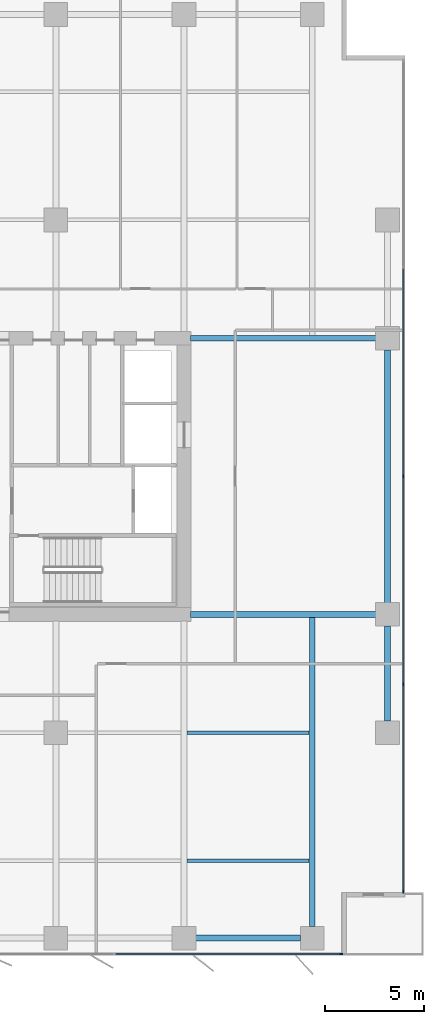
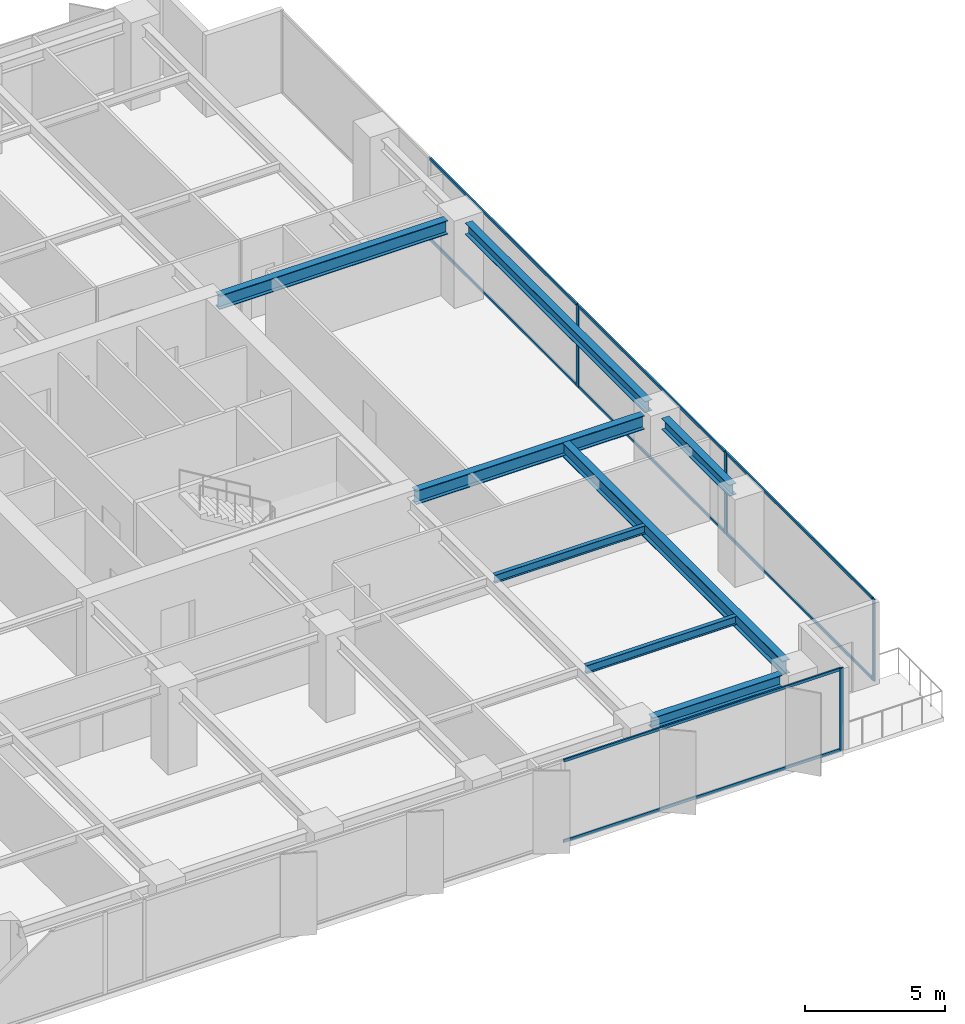
# One storey, part 10 of 20: 12 members, 8 beams, 2 elements without a shape of their own.
"""IFC4 building model written with IfcOpenShell, lengths in metres."""

import ifcopenshell
import ifcopenshell.guid

model = None  # the IFC model being written
_history = None  # IfcOwnerHistory: only IFC2X3 demands one
_inside = {}  # id of a spatial element -> (the spatial element, [elements in it])
_under = {}  # id of a project, library or spatial element -> (it, [spatial elements below it])
_declared = {}  # id of a project -> (the project, [libraries it declares])
_typed = {}  # id of a type object -> (the type object, [elements of that type])
_made_of = {}  # id of a material, layer set ... -> (it, [elements and type objects made of it])


def new_model(schema):
    """Start an empty IFC model of exactly this schema.

    Asked for "IFC4X3", IfcOpenShell would pick the latest addendum, in which some entities
    have other attributes; the version numbers below select the first issue.
    IFC2X3 requires an IfcOwnerHistory on every rooted entity: one is made here for all.
    """
    global model, _history
    if schema == "IFC4X3":
        model = ifcopenshell.file(schema_version=(4, 3, 0, 0))
    else:
        model = ifcopenshell.file(schema=schema)
    _inside.clear()
    _under.clear()
    _declared.clear()
    _typed.clear()
    _made_of.clear()
    _history = None
    if model.schema == "IFC2X3":
        org = make("IfcOrganization", Name="unknown")
        user = make(
            "IfcPersonAndOrganization",
            ThePerson=make("IfcPerson", FamilyName="unknown"),
            TheOrganization=org,
        )
        app = make(
            "IfcApplication",
            ApplicationDeveloper=org,
            Version="unknown",
            ApplicationFullName="unknown",
            ApplicationIdentifier="unknown",
        )
        _history = make(
            "IfcOwnerHistory",
            OwningUser=user,
            OwningApplication=app,
            ChangeAction="ADDED",
            CreationDate=0,
        )
    return model


def make(cls, **values):
    """One entity of the class cls with the attributes given. An attribute that is None is left unset."""
    return model.create_entity(
        cls, **{name: value for name, value in values.items() if value is not None}
    )


def rooted(cls, **values):
    """An entity with a GlobalId (a new one), such as an element, a storey or a relation."""
    return make(cls, GlobalId=ifcopenshell.guid.new(), OwnerHistory=_history, **values)


def si_unit(unit_type, name, prefix=None):
    """IfcSIUnit, for example si_unit("LENGTHUNIT", "METRE", prefix="MILLI")."""
    return make("IfcSIUnit", UnitType=unit_type, Prefix=prefix, Name=name)


def assignment(units):
    """IfcUnitAssignment: the units of a project."""
    return None if units is None else make("IfcUnitAssignment", Units=units)


def point(xyz):
    """IfcCartesianPoint."""
    return None if xyz is None else make("IfcCartesianPoint", Coordinates=xyz)


def direction(xyz):
    """IfcDirection."""
    return None if xyz is None else make("IfcDirection", DirectionRatios=xyz)


def frame(location, z_axis=None, x_axis=None):
    """IfcAxis2Placement3D, a coordinate frame: its origin and axes. An axis left out is left unset."""
    return make(
        "IfcAxis2Placement3D",
        Location=point(location),
        Axis=direction(z_axis),
        RefDirection=direction(x_axis),
    )


def frame_2d(location, x_axis=None):
    """IfcAxis2Placement2D, a coordinate frame in the plane: its origin and x axis."""
    return make(
        "IfcAxis2Placement2D", Location=point(location), RefDirection=direction(x_axis)
    )


def origin():
    """The frame at (0, 0, 0) with its axes left unset."""
    return frame((0.0, 0.0, 0.0))


def origin_2d():
    """The frame at (0, 0) in the plane with its x axis left unset."""
    return frame_2d((0.0, 0.0))


def place(relative_to, where):
    """IfcLocalPlacement: puts the frame where relative to a parent placement (None: the world)."""
    return make(
        "IfcLocalPlacement", PlacementRelTo=relative_to, RelativePlacement=where
    )


def context(
    kind, dimensions, precision=None, world=None, true_north=None, identifier=None
):
    """IfcGeometricRepresentationContext, for example the 3D "Model" context."""
    return make(
        "IfcGeometricRepresentationContext",
        ContextIdentifier=identifier,
        ContextType=kind,
        CoordinateSpaceDimension=dimensions,
        Precision=precision,
        WorldCoordinateSystem=world,
        TrueNorth=true_north,
    )


def subcontext(parent, identifier, kind, view, scale=None):
    """IfcGeometricRepresentationSubContext, for example "Body" below "Model"."""
    return make(
        "IfcGeometricRepresentationSubContext",
        ContextIdentifier=identifier,
        ContextType=kind,
        ParentContext=parent,
        TargetScale=scale,
        TargetView=view,
    )


def project(units=None, contexts=None):
    """IfcProject with its units and contexts."""
    return rooted(
        "IfcProject",
        Name="project",
        RepresentationContexts=contexts,
        UnitsInContext=assignment(units),
    )


def spatial(cls, under=None, at=None, **own):
    """A site, building, storey or space (cls), placed at a placement, below another one or the project."""
    s = rooted(cls, ObjectPlacement=at, **own)
    if under is not None:
        _under.setdefault(under.id(), (under, []))[1].append(s)
    return s


def profile(cls, at=None, kind="AREA", **sizes):
    """A parametric profile (cls). Its sizes go by their IFC names, for example OverallWidth=200.0."""
    return make(cls, ProfileType=kind, Position=at, **sizes)


def rectangle(**sizes):
    """IfcRectangleProfileDef."""
    return profile("IfcRectangleProfileDef", **sizes)


def i_section(**sizes):
    """IfcIShapeProfileDef."""
    return profile("IfcIShapeProfileDef", **sizes)


def extrude(swept, where, along, depth):
    """IfcExtrudedAreaSolid: the profile swept, set in the frame where, extruded along a direction by depth."""
    return make(
        "IfcExtrudedAreaSolid",
        SweptArea=swept,
        Position=where,
        ExtrudedDirection=direction(along),
        Depth=depth,
    )


def shape(context_of_items, identifier, shape_type, items):
    """IfcShapeRepresentation: the items that make up one representation, for example the "Body"."""
    return make(
        "IfcShapeRepresentation",
        ContextOfItems=context_of_items,
        RepresentationIdentifier=identifier,
        RepresentationType=shape_type,
        Items=items,
    )


def material(Name=None, Category=None):
    """IfcMaterial."""
    return make("IfcMaterial", Name=Name, Category=Category)


def layer(
    of_material, thickness, ventilated=None, Name=None, Category=None, Priority=None
):
    """IfcMaterialLayer: one layer of a wall or slab, of a material (None: an air gap)."""
    return make(
        "IfcMaterialLayer",
        Material=of_material,
        LayerThickness=thickness,
        IsVentilated=ventilated,
        Name=Name,
        Category=Category,
        Priority=Priority,
    )


def layer_set(layers, Name=None):
    """IfcMaterialLayerSet."""
    return make("IfcMaterialLayerSet", MaterialLayers=layers, LayerSetName=Name)


def material_profile(
    of_material, cross_section, Name=None, Category=None, Priority=None
):
    """IfcMaterialProfile: a cross section and its material."""
    return make(
        "IfcMaterialProfile",
        Name=Name,
        Material=of_material,
        Profile=cross_section,
        Priority=Priority,
        Category=Category,
    )


def profile_set(profiles, Name=None, composite=None):
    """IfcMaterialProfileSet."""
    return make(
        "IfcMaterialProfileSet",
        Name=Name,
        MaterialProfiles=profiles,
        CompositeProfile=composite,
    )


def made_of(thing, what):
    """Note that an element or type object is made of a material, layer set ...; save() writes the relation."""
    if what is not None:
        _made_of.setdefault(what.id(), (what, []))[1].append(thing)
    return thing


def type_object(cls, material=None, **own):
    """A type object (cls), such as IfcWallType, which elements share."""
    return made_of(rooted(cls, **own), material)


def element(
    cls,
    number,
    at=None,
    inside=None,
    cuts=None,
    type_object=None,
    material=None,
    context=None,
    identifier="Body",
    shape_type=None,
    held_by="IfcProductDefinitionShape",
    body=None,
    shapes=None,
    **own,
):
    """One element of the class cls, such as IfcWall. Its Tag is "e" and its number.

    at: its placement. inside: the storey or other place that contains it. cuts: it is an
    opening in that element (IfcRelVoidsElement). A single representation is given by context,
    identifier, shape_type and body (its items); several are given by shapes. held_by: the class
    of the entity that holds the representations. save() writes the other relations.
    """
    e = rooted(cls, Tag="e%d" % number, ObjectPlacement=at, **own)
    if body is not None:
        shapes = [shape(context, identifier, shape_type, body)]
    if shapes is not None:
        e.Representation = make(held_by, Representations=shapes)
    if inside is not None:
        _inside.setdefault(inside.id(), (inside, []))[1].append(e)
    if cuts is not None:
        rooted(
            "IfcRelVoidsElement", RelatingBuildingElement=cuts, RelatedOpeningElement=e
        )
    if type_object is not None:
        _typed.setdefault(type_object.id(), (type_object, []))[1].append(e)
    return made_of(e, material)


def aggregate(whole, parts):
    """IfcRelAggregates: a whole, such as a stair, and the parts it consists of."""
    return rooted("IfcRelAggregates", RelatingObject=whole, RelatedObjects=parts)


def save(model, path):
    """Write the relations noted so far, then the file.

    IfcRelAggregates (storeys below a building ...), IfcRelContainedInSpatialStructure (elements
    in a storey), IfcRelDefinesByType, IfcRelAssociatesMaterial and IfcRelDeclares: one each for
    every whole, place, type object, material and project.
    """
    for whole, parts in _under.values():
        aggregate(whole, parts)
    for where, things in _inside.values():
        rooted(
            "IfcRelContainedInSpatialStructure",
            RelatedElements=things,
            RelatingStructure=where,
        )
    for kind, things in _typed.values():
        rooted("IfcRelDefinesByType", RelatedObjects=things, RelatingType=kind)
    for what, things in _made_of.values():
        rooted("IfcRelAssociatesMaterial", RelatedObjects=things, RelatingMaterial=what)
    for by, libraries in _declared.values():
        rooted("IfcRelDeclares", RelatingContext=by, RelatedDefinitions=libraries)
    model.write(path)


model = new_model("IFC4")

# Units and contexts
model_context = context("Model", 3, precision=1e-05, world=origin(), true_north=direction((0.0, 1.0)))
body_context = subcontext(model_context, "Body", "Model", "MODEL_VIEW")
ifc_project = project(units=[si_unit("LENGTHUNIT", "METRE"), si_unit("AREAUNIT", "SQUARE_METRE"), si_unit("VOLUMEUNIT", "CUBIC_METRE"), si_unit("PLANEANGLEUNIT", "RADIAN"), si_unit("MASSUNIT", "GRAM", prefix="KILO")], contexts=[model_context])

# Site, building, storey
site_placement = place(None, origin())
site = spatial("IfcSite", under=ifc_project, at=site_placement, CompositionType="ELEMENT")
building_placement = place(site_placement, origin())
building = spatial("IfcBuilding", under=site, at=building_placement, Name="Putna Gate Headquarters", CompositionType="ELEMENT")
storey_placement = place(building_placement, frame((0.0, 0.0, 108.800048828125)))
storey = spatial("IfcBuildingStorey", under=building, at=storey_placement, Name="L26", CompositionType="ELEMENT", Elevation=108.800048828125)

# Beams
ifc_material_1 = material(Name="Steel S355J2", Category="steel")
ifc_material_profile_1 = material_profile(ifc_material_1, i_section(OverallWidth=0.300048828125, OverallDepth=0.60009765625, WebThickness=0.015380859375, FlangeThickness=0.030029296875, at=origin_2d()), Name="Steel S355J2")
ifc_profile_set_1 = profile_set([ifc_material_profile_1], Name="Steel S355J2")
beam_type_1 = type_object("IfcBeamType", Name="BM-GIRD-Z2-HEB600", PredefinedType="USERDEFINED", material=ifc_profile_set_1)
for number, where, z_axis, x_axis, name in (
    (1, (65.3349609375, 19.0, 3.264892578125), (1.0, 0.0, 0.0), (0.0, 1.0, 0.0), "L26 East Wing Girder Y19"),
    (2, (65.3349609375, 33.0, 3.264892578125), (1.0, 0.0, 0.0), (0.0, 1.0, 0.0), "L26 East Wing Girder Y33"),
):
    element("IfcBeam", number, at=place(storey_placement, frame(where, z_axis=z_axis, x_axis=x_axis)), inside=storey, type_object=beam_type_1, Name=name, ObjectType="GIRDER", PredefinedType="USERDEFINED", context=body_context, shape_type="SweptSolid", body=[
        extrude(i_section(OverallWidth=0.300048828125, OverallDepth=0.60009765625, WebThickness=0.015380859375, FlangeThickness=0.030029296875, at=origin_2d()), origin(), (0.0, 0.0, 1.0), 9.39697265625),
    ])
beam_1_placement = place(storey_placement, frame((71.5, 3.16796875, 3.264892578125), z_axis=(0.0, 1.0, 0.0), x_axis=(-1.0, 0.0, 0.0)))
element("IfcBeam", 3, at=beam_1_placement, inside=storey, type_object=beam_type_1, Name="L26 South Primary Girder X71", ObjectType="GIRDER", PredefinedType="USERDEFINED", context=body_context, shape_type="SweptSolid", body=[
    extrude(i_section(OverallWidth=0.300048828125, OverallDepth=0.60009765625, WebThickness=0.015380859375, FlangeThickness=0.030029296875, at=origin_2d()), origin(), (0.0, 0.0, 1.0), 15.820068359375),
])
ifc_material_profile_2 = material_profile(ifc_material_1, i_section(OverallWidth=0.169921875, OverallDepth=0.360107421875, WebThickness=0.008056640625, FlangeThickness=0.0126953125, at=origin_2d()), Name="Steel S355J2")
ifc_profile_set_2 = profile_set([ifc_material_profile_2], Name="Steel S355J2")
beam_type_2 = type_object("IfcBeamType", Name="BM-SEC-Z2-IPE360", PredefinedType="BEAM", material=ifc_profile_set_2)
for number, where, z_axis, x_axis, name in (
    (4, (65.154052734375, 6.5, 3.385009765625), (1.0, 0.0, 0.0), (0.0, 1.0, 0.0), "L26 South Secondary Beam 10"),
    (5, (65.154052734375, 13.0, 3.385009765625), (1.0, 0.0, 0.0), (0.0, 1.0, 0.0), "L26 South Secondary Beam 10"),
):
    element("IfcBeam", number, at=place(storey_placement, frame(where, z_axis=z_axis, x_axis=x_axis)), inside=storey, type_object=beam_type_2, Name=name, PredefinedType="BEAM", context=body_context, shape_type="SweptSolid", body=[
        extrude(i_section(OverallWidth=0.169921875, OverallDepth=0.360107421875, WebThickness=0.008056640625, FlangeThickness=0.0126953125, at=origin_2d()), origin(), (0.0, 0.0, 1.0), 6.19189453125),
    ])
ifc_material_profile_3 = material_profile(ifc_material_1, i_section(OverallWidth=0.300048828125, OverallDepth=0.489990234375, WebThickness=0.011962890625, FlangeThickness=0.02294921875, at=origin_2d()), Name="Steel S355J2")
ifc_profile_set_3 = profile_set([ifc_material_profile_3], Name="Steel S355J2")
beam_type_3 = type_object("IfcBeamType", Name="BM-SPAN-Z2-HEA500", PredefinedType="SPANDREL", material=ifc_profile_set_3)
beam_2_placement = place(storey_placement, frame((65.587890625, 2.580078125, 3.320068359375), z_axis=(1.0, 0.0, 0.0), x_axis=(0.0, 1.0, 0.0)))
element("IfcBeam", 6, at=beam_2_placement, inside=storey, type_object=beam_type_3, Name="L26 S Perimeter Spandrel 10", PredefinedType="SPANDREL", context=body_context, shape_type="SweptSolid", body=[
    extrude(i_section(OverallWidth=0.300048828125, OverallDepth=0.489990234375, WebThickness=0.011962890625, FlangeThickness=0.02294921875, at=origin_2d()), origin(), (0.0, 0.0, 1.0), 5.32421875),
])
beam_3_placement = place(storey_placement, frame((75.320068359375, 13.587890625, 3.320068359375), z_axis=(0.0, 1.0, 0.0), x_axis=(-1.0, 0.0, 0.0)))
element("IfcBeam", 7, at=beam_3_placement, inside=storey, type_object=beam_type_3, Name="L26 E End Spandrel 1", PredefinedType="SPANDREL", context=body_context, shape_type="SweptSolid", body=[
    extrude(i_section(OverallWidth=0.300048828125, OverallDepth=0.489990234375, WebThickness=0.011962890625, FlangeThickness=0.02294921875, at=origin_2d()), origin(), (0.0, 0.0, 1.0), 4.82421875),
])
beam_4_placement = place(storey_placement, frame((75.320068359375, 19.587890625, 3.320068359375), z_axis=(0.0, 1.0, 0.0), x_axis=(-1.0, 0.0, 0.0)))
element("IfcBeam", 8, at=beam_4_placement, inside=storey, type_object=beam_type_3, Name="L26 E End Spandrel 2", PredefinedType="SPANDREL", context=body_context, shape_type="SweptSolid", body=[
    extrude(i_section(OverallWidth=0.300048828125, OverallDepth=0.489990234375, WebThickness=0.011962890625, FlangeThickness=0.02294921875, at=origin_2d()), origin(), (0.0, 0.0, 1.0), 12.82421875),
])

# Curtain wall, member
ifc_material_2 = material(Name="Anodised bronze aluminium curtain wall", Category="aluminium")
ifc_layer = layer(ifc_material_2, 0.159912109375)
ifc_layer_set = layer_set([ifc_layer], Name="Anodised bronze aluminium curtain wall")
curtain_wall_type = type_object("IfcCurtainWallType", Name="CW-SYS-Z2", PredefinedType="USERDEFINED", material=ifc_layer_set)
curtain_wall_1_placement = place(storey_placement, origin())
curtain_wall_1 = element("IfcCurtainWall", 9, at=curtain_wall_1_placement, inside=storey, type_object=curtain_wall_type, Name="L26 South East Curtain Wall", ObjectType="STICK CURTAIN WALL", PredefinedType="USERDEFINED")
ifc_material_3 = material(Name="Anodised bronze aluminium EN AW-6060", Category="aluminium")
ifc_material_profile_4 = material_profile(ifc_material_3, rectangle(XDim=0.06494140625, YDim=0.159912109375, at=origin_2d()), Name="Anodised bronze aluminium EN AW-6060")
ifc_profile_set_4 = profile_set([ifc_material_profile_4], Name="Anodised bronze aluminium EN AW-6060")
member_type_1 = type_object("IfcMemberType", Name="MULL-CWM-2", PredefinedType="MULLION", material=ifc_profile_set_4)
member_1_placement = place(storey_placement, frame((72.967529296875, 1.780029296875, 0.0), z_axis=(0.0, 0.0, 1.0), x_axis=(0.0, 1.0, 0.0)))
member_1 = element("IfcMember", 10, at=member_1_placement, type_object=member_type_1, Name="CWS-2 mullion 3", PredefinedType="MULLION", context=body_context, shape_type="SweptSolid", body=[
    extrude(rectangle(XDim=0.06494140625, YDim=0.159912109375, at=origin_2d()), origin(), (0.0, 0.0, 1.0), 3.56494140625),
])

# Curtain wall, members
curtain_wall_2_placement = place(storey_placement, origin())
curtain_wall_2 = element("IfcCurtainWall", 11, at=curtain_wall_2_placement, inside=storey, type_object=curtain_wall_type, Name="L26 East Curtain Wall", ObjectType="STICK CURTAIN WALL", PredefinedType="USERDEFINED")
member_2_placement = place(storey_placement, frame((76.1201171875, 4.9326171875, 0.0), z_axis=(0.0, 0.0, 1.0), x_axis=(-1.0, 0.0, 0.0)))
member_2 = element("IfcMember", 12, at=member_2_placement, type_object=member_type_1, Name="CWS-2 mullion 1", PredefinedType="MULLION", context=body_context, shape_type="SweptSolid", body=[
    extrude(rectangle(XDim=0.06494140625, YDim=0.159912109375, at=origin_2d()), origin(), (0.0, 0.0, 1.0), 3.56494140625),
])
member_3_placement = place(storey_placement, frame((76.1201171875, 15.449951171875, 0.0), z_axis=(0.0, 0.0, 1.0), x_axis=(-1.0, 0.0, 0.0)))
member_3 = element("IfcMember", 13, at=member_3_placement, type_object=member_type_1, Name="CWS-2 mullion 2", PredefinedType="MULLION", context=body_context, shape_type="SweptSolid", body=[
    extrude(rectangle(XDim=0.06494140625, YDim=0.159912109375, at=origin_2d()), origin(), (0.0, 0.0, 1.0), 3.56494140625),
])
member_4_placement = place(storey_placement, frame((76.1201171875, 26.0, 0.0), z_axis=(0.0, 0.0, 1.0), x_axis=(-1.0, 0.0, 0.0)))
member_4 = element("IfcMember", 14, at=member_4_placement, type_object=member_type_1, Name="CWS-2 mullion 3", PredefinedType="MULLION", context=body_context, shape_type="SweptSolid", body=[
    extrude(rectangle(XDim=0.06494140625, YDim=0.159912109375, at=origin_2d()), origin(), (0.0, 0.0, 1.0), 3.56494140625),
])

# Member
ifc_material_profile_5 = material_profile(ifc_material_3, rectangle(XDim=0.06494140625, YDim=0.1201171875, at=origin_2d()), Name="Anodised bronze aluminium EN AW-6060")
ifc_profile_set_5 = profile_set([ifc_material_profile_5], Name="Anodised bronze aluminium EN AW-6060")
member_type_2 = type_object("IfcMemberType", Name="TRAN-CWT-2", PredefinedType="USERDEFINED", material=ifc_profile_set_5)
member_5_placement = place(storey_placement, frame((61.532470703125, 1.780029296875, 0.032470703125), z_axis=(1.0, 0.0, 0.0), x_axis=(0.0, 1.0, 0.0)))
member_5 = element("IfcMember", 15, at=member_5_placement, type_object=member_type_2, Name="CWS-2 transom 2.1", ObjectType="TRANSOM", PredefinedType="USERDEFINED", context=body_context, shape_type="SweptSolid", body=[
    extrude(rectangle(XDim=0.06494140625, YDim=0.1201171875, at=origin_2d()), origin(), (0.0, 0.0, 1.0), 11.402587890625),
])

member_6_placement = place(storey_placement, frame((61.532470703125, 1.780029296875, 3.532470703125), z_axis=(1.0, 0.0, 0.0), x_axis=(0.0, 1.0, 0.0)))
member_6 = element("IfcMember", 16, at=member_6_placement, type_object=member_type_2, Name="CWS-2 transom 2.2", ObjectType="TRANSOM", PredefinedType="USERDEFINED", context=body_context, shape_type="SweptSolid", body=[
    extrude(rectangle(XDim=0.06494140625, YDim=0.1201171875, at=origin_2d()), origin(), (0.0, 0.0, 1.0), 11.402587890625),
])

aggregate(curtain_wall_1, [member_1, member_5, member_6])

member_7_placement = place(storey_placement, frame((76.1201171875, 4.965087890625, 0.032470703125), z_axis=(0.0, 1.0, 0.0), x_axis=(-1.0, 0.0, 0.0)))
member_7 = element("IfcMember", 17, at=member_7_placement, type_object=member_type_2, Name="CWS-2 transom 1.1", ObjectType="TRANSOM", PredefinedType="USERDEFINED", context=body_context, shape_type="SweptSolid", body=[
    extrude(rectangle(XDim=0.06494140625, YDim=0.1201171875, at=origin_2d()), origin(), (0.0, 0.0, 1.0), 10.452392578125),
])

member_8_placement = place(storey_placement, frame((76.1201171875, 4.965087890625, 3.532470703125), z_axis=(0.0, 1.0, 0.0), x_axis=(-1.0, 0.0, 0.0)))
member_8 = element("IfcMember", 18, at=member_8_placement, type_object=member_type_2, Name="CWS-2 transom 1.2", ObjectType="TRANSOM", PredefinedType="USERDEFINED", context=body_context, shape_type="SweptSolid", body=[
    extrude(rectangle(XDim=0.06494140625, YDim=0.1201171875, at=origin_2d()), origin(), (0.0, 0.0, 1.0), 10.452392578125),
])

member_9_placement = place(storey_placement, frame((76.1201171875, 15.482421875, 0.032470703125), z_axis=(0.0, 1.0, 0.0), x_axis=(-1.0, 0.0, 0.0)))
member_9 = element("IfcMember", 19, at=member_9_placement, type_object=member_type_2, Name="CWS-2 transom 2.1", ObjectType="TRANSOM", PredefinedType="USERDEFINED", context=body_context, shape_type="SweptSolid", body=[
    extrude(rectangle(XDim=0.06494140625, YDim=0.1201171875, at=origin_2d()), origin(), (0.0, 0.0, 1.0), 10.485107421875),
])

member_10_placement = place(storey_placement, frame((76.1201171875, 15.482421875, 3.532470703125), z_axis=(0.0, 1.0, 0.0), x_axis=(-1.0, 0.0, 0.0)))
member_10 = element("IfcMember", 20, at=member_10_placement, type_object=member_type_2, Name="CWS-2 transom 2.2", ObjectType="TRANSOM", PredefinedType="USERDEFINED", context=body_context, shape_type="SweptSolid", body=[
    extrude(rectangle(XDim=0.06494140625, YDim=0.1201171875, at=origin_2d()), origin(), (0.0, 0.0, 1.0), 10.485107421875),
])

member_11_placement = place(storey_placement, frame((76.1201171875, 26.032470703125, 0.032470703125), z_axis=(0.0, 1.0, 0.0), x_axis=(-1.0, 0.0, 0.0)))
member_11 = element("IfcMember", 21, at=member_11_placement, type_object=member_type_2, Name="CWS-2 transom 3.1", ObjectType="TRANSOM", PredefinedType="USERDEFINED", context=body_context, shape_type="SweptSolid", body=[
    extrude(rectangle(XDim=0.06494140625, YDim=0.1201171875, at=origin_2d()), origin(), (0.0, 0.0, 1.0), 10.485107421875),
])

member_12_placement = place(storey_placement, frame((76.1201171875, 26.032470703125, 3.532470703125), z_axis=(0.0, 1.0, 0.0), x_axis=(-1.0, 0.0, 0.0)))
member_12 = element("IfcMember", 22, at=member_12_placement, type_object=member_type_2, Name="CWS-2 transom 3.2", ObjectType="TRANSOM", PredefinedType="USERDEFINED", context=body_context, shape_type="SweptSolid", body=[
    extrude(rectangle(XDim=0.06494140625, YDim=0.1201171875, at=origin_2d()), origin(), (0.0, 0.0, 1.0), 10.485107421875),
])

aggregate(curtain_wall_2, [member_2, member_3, member_4, member_7, member_8, member_9, member_10, member_11, member_12])

save(model, "model.ifc")
